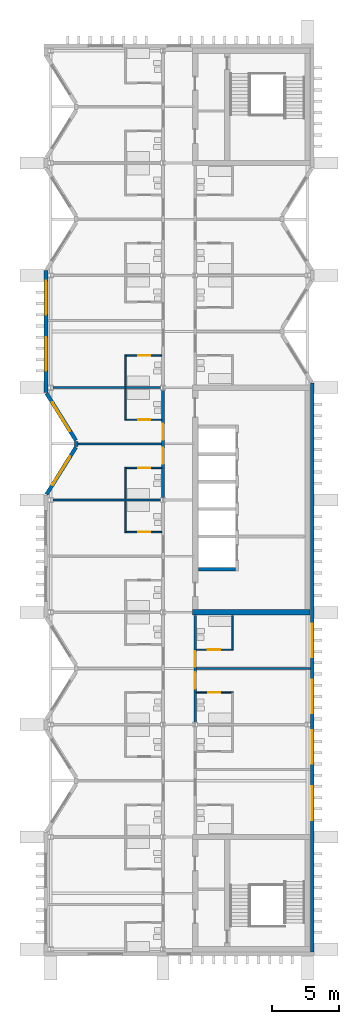
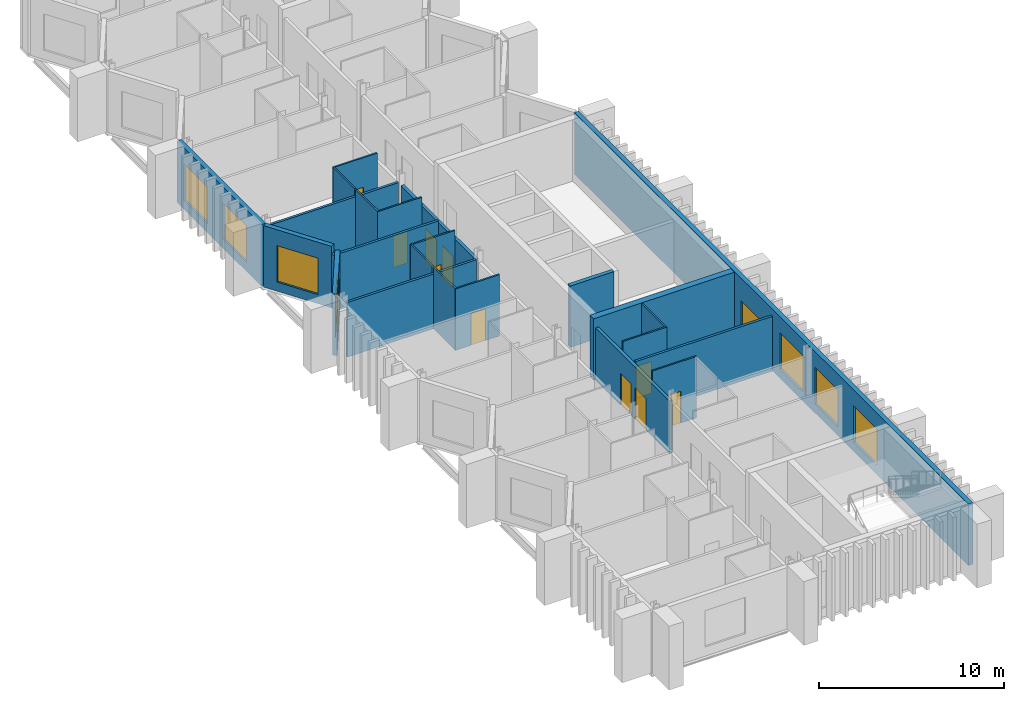
# One storey, part 6 of 11: 24 walls, 10 doors, 8 windows, 18 openings.
"""IFC4 building model written with IfcOpenShell, lengths in metres."""

from ifc_helpers import new_model, si_unit, direction, frame, frame_2d, origin, place, context, subcontext, project, spatial, rectangle, extrude, material, layer, layer_set, type_object, element, fill, save


model = new_model("IFC4")

# Units and contexts
model_context = context("Model", 3, precision=1e-05, world=origin(), true_north=direction((0.0, 1.0)))
body_context = subcontext(model_context, "Body", "Model", "MODEL_VIEW")
ifc_project = project(units=[si_unit("LENGTHUNIT", "METRE"), si_unit("AREAUNIT", "SQUARE_METRE"), si_unit("VOLUMEUNIT", "CUBIC_METRE"), si_unit("PLANEANGLEUNIT", "RADIAN"), si_unit("MASSUNIT", "GRAM", prefix="KILO")], contexts=[model_context])

# Site, building, storey
site_placement = place(None, origin())
site = spatial("IfcSite", under=ifc_project, at=site_placement, CompositionType="ELEMENT")
building_placement = place(site_placement, origin())
building = spatial("IfcBuilding", under=site, at=building_placement, Name="Cresset Court Congress Hotel", CompositionType="ELEMENT")
storey_placement = place(building_placement, frame((0.0, 0.0, 43.800048828125)))
storey = spatial("IfcBuildingStorey", under=building, at=storey_placement, Name="L10", CompositionType="ELEMENT", Elevation=43.800048828125)

# Wall, openings, doors
ifc_material_1 = material(Name="Gypsum board partition")
ifc_layer_1 = layer(ifc_material_1, 0.199951171875)
ifc_layer_set_1 = layer_set([ifc_layer_1], Name="Corridor wall 200")
wall_type_1 = type_object("IfcWallType", Name="Corridor wall 200", PredefinedType="PARTITIONING", material=ifc_layer_set_1)
wall_1_placement = place(storey_placement, frame((165.60009765625, 33.77490234375, 0.0), z_axis=(0.0, 0.0, 1.0), x_axis=(0.0, 1.0, 0.0)))
wall_1 = element("IfcWall", 1, at=wall_1_placement, inside=storey, type_object=wall_type_1, Name="A.wl.L10.074", PredefinedType="PARTITIONING", context=body_context, shape_type="SweptSolid", body=[
    extrude(rectangle(XDim=8.050048828125, YDim=0.199951171875, at=frame_2d((4.02490234375, 0.0))), origin(), (0.0, 0.0, 1.0), 3.449951171875),
])
opening_1_placement = place(wall_1_placement, frame((2.52490234375, 0.0, 0.0)))
opening_1 = element("IfcOpeningElement", 2, at=opening_1_placement, cuts=wall_1, Name="Opening DA-10-18", PredefinedType="OPENING", context=body_context, shape_type="SweptSolid", body=[
    extrude(rectangle(XDim=1.199951171875, YDim=2.10009765625, at=frame_2d((0.60009765625, 1.050048828125))), frame((0.0, 0.10986328125, 0.0), z_axis=(0.0, -1.0, 0.0), x_axis=(1.0, 0.0, 0.0)), (0.0, 0.0, 1.0), 0.219970703125),
])
opening_2_placement = place(wall_1_placement, frame((4.324951171875, 0.0, 0.0)))
opening_2 = element("IfcOpeningElement", 3, at=opening_2_placement, cuts=wall_1, Name="Opening DA-10-20", PredefinedType="OPENING", context=body_context, shape_type="SweptSolid", body=[
    extrude(rectangle(XDim=1.199951171875, YDim=2.10009765625, at=frame_2d((0.60009765625, 1.050048828125))), frame((0.0, 0.10986328125, 0.0), z_axis=(0.0, -1.0, 0.0), x_axis=(1.0, 0.0, 0.0)), (0.0, 0.0, 1.0), 0.219970703125),
])
ifc_material_2 = material(Name="timber", Category="wood")
door_type_1 = type_object("IfcDoorType", Name="Guest-room entry door 1200x2100 FD30S", OperationType="SINGLE_SWING_LEFT", PredefinedType="DOOR", material=ifc_material_2)
door_1_placement = place(opening_1_placement, origin())
door_1 = element("IfcDoor", 4, at=door_1_placement, inside=storey, type_object=door_type_1, Name="Door DA-10-18", OperationType="SINGLE_SWING_RIGHT", OverallHeight=2.10009765625, OverallWidth=1.199951171875, PredefinedType="DOOR", context=body_context, shape_type="SweptSolid", body=[
    extrude(rectangle(XDim=1.199951171875, YDim=2.10009765625, at=frame_2d((0.60009765625, 1.050048828125))), frame((0.0, 0.02490234375, 0.0), z_axis=(0.0, -1.0, 0.0), x_axis=(1.0, 0.0, 0.0)), (0.0, 0.0, 1.0), 0.050048828125),
])
fill(opening_1, door_1)
door_2_placement = place(opening_2_placement, origin())
door_2 = element("IfcDoor", 5, at=door_2_placement, inside=storey, type_object=door_type_1, Name="Door DA-10-20", OperationType="SINGLE_SWING_LEFT", OverallHeight=2.10009765625, OverallWidth=1.199951171875, PredefinedType="DOOR", context=body_context, shape_type="SweptSolid", body=[
    extrude(rectangle(XDim=1.199951171875, YDim=2.10009765625, at=frame_2d((0.60009765625, 1.050048828125))), frame((0.0, 0.02490234375, 0.0), z_axis=(0.0, -1.0, 0.0), x_axis=(1.0, 0.0, 0.0)), (0.0, 0.0, 1.0), 0.050048828125),
])
fill(opening_2, door_2)

wall_2_placement = place(storey_placement, frame((168.0, 16.97509765625, 0.0), z_axis=(0.0, 0.0, 1.0), x_axis=(0.0, 1.0, 0.0)))
wall_2 = element("IfcWall", 6, at=wall_2_placement, inside=storey, type_object=wall_type_1, Name="A.wl.L10.079", PredefinedType="PARTITIONING", context=body_context, shape_type="SweptSolid", body=[
    extrude(rectangle(XDim=7.974853515625, YDim=0.199951171875, at=frame_2d((3.9873046875, 0.0))), origin(), (0.0, 0.0, 1.0), 3.449951171875),
])
opening_3_placement = place(wall_2_placement, frame((2.52490234375, 0.0, 0.0)))
opening_3 = element("IfcOpeningElement", 7, at=opening_3_placement, cuts=wall_2, Name="Opening DA-10-38", PredefinedType="OPENING", context=body_context, shape_type="SweptSolid", body=[
    extrude(rectangle(XDim=1.199951171875, YDim=2.10009765625, at=frame_2d((0.60009765625, 1.050048828125))), frame((0.0, 0.10986328125, 0.0), z_axis=(0.0, -1.0, 0.0), x_axis=(1.0, 0.0, 0.0)), (0.0, 0.0, 1.0), 0.219970703125),
])
opening_4_placement = place(wall_2_placement, frame((4.14990234375, 0.0, 0.0)))
opening_4 = element("IfcOpeningElement", 8, at=opening_4_placement, cuts=wall_2, Name="Opening DA-10-40", PredefinedType="OPENING", context=body_context, shape_type="SweptSolid", body=[
    extrude(rectangle(XDim=1.14990234375, YDim=2.10009765625, at=frame_2d((0.574951171875, 1.050048828125))), frame((0.0, 0.10986328125, 0.0), z_axis=(0.0, -1.0, 0.0), x_axis=(1.0, 0.0, 0.0)), (0.0, 0.0, 1.0), 0.219970703125),
])
ifc_material_3 = material(Name="timber", Category="wood")
door_type_2 = type_object("IfcDoorType", Name="Accessible guest-room entry door 1150x2100 FD30S", OperationType="SINGLE_SWING_LEFT", PredefinedType="DOOR", material=ifc_material_3)
door_3_placement = place(opening_4_placement, origin())
door_3 = element("IfcDoor", 9, at=door_3_placement, inside=storey, type_object=door_type_2, Name="Door DA-10-40", OperationType="SINGLE_SWING_LEFT", OverallHeight=2.10009765625, OverallWidth=1.14990234375, PredefinedType="DOOR", context=body_context, shape_type="SweptSolid", body=[
    extrude(rectangle(XDim=1.14990234375, YDim=2.10009765625, at=frame_2d((0.574951171875, 1.050048828125))), frame((0.0, 0.02490234375, 0.0), z_axis=(0.0, -1.0, 0.0), x_axis=(1.0, 0.0, 0.0)), (0.0, 0.0, 1.0), 0.050048828125),
])
fill(opening_4, door_3)
door_4_placement = place(opening_3_placement, origin())
door_4 = element("IfcDoor", 10, at=door_4_placement, inside=storey, type_object=door_type_1, Name="Door DA-10-38", OperationType="SINGLE_SWING_RIGHT", OverallHeight=2.10009765625, OverallWidth=1.199951171875, PredefinedType="DOOR", context=body_context, shape_type="SweptSolid", body=[
    extrude(rectangle(XDim=1.199951171875, YDim=2.10009765625, at=frame_2d((0.60009765625, 1.050048828125))), frame((0.0, 0.02490234375, 0.0), z_axis=(0.0, -1.0, 0.0), x_axis=(1.0, 0.0, 0.0)), (0.0, 0.0, 1.0), 0.050048828125),
])
fill(opening_3, door_4)

# Wall
ifc_material_4 = material(Name="Gypsum board partition")
ifc_layer_2 = layer(ifc_material_4, 0.10009765625)
ifc_layer_set_2 = layer_set([ifc_layer_2], Name="En-suite wall 100")
wall_type_2 = type_object("IfcWallType", Name="En-suite wall 100", PredefinedType="PARTITIONING", material=ifc_layer_set_2)
wall_3_placement = place(storey_placement, frame((162.800048828125, 31.199951171875, 0.0), z_axis=(0.0, 0.0, 1.0), x_axis=(0.0, 1.0, 0.0)))
element("IfcWall", 11, at=wall_3_placement, inside=storey, type_object=wall_type_2, Name="A.wl.L10.015", PredefinedType="PARTITIONING", context=body_context, shape_type="SweptSolid", body=[
    extrude(rectangle(XDim=2.324951171875, YDim=0.10009765625, at=frame_2d((1.16259765625, 0.0))), origin(), (0.0, 0.0, 1.0), 4.050048828125),
])

# Wall, opening, door
wall_4_placement = place(storey_placement, frame((162.75, 31.199951171875, 0.0), z_axis=(0.0, 0.0, 1.0), x_axis=(1.0, 0.0, 0.0)))
wall_4 = element("IfcWall", 12, at=wall_4_placement, inside=storey, type_object=wall_type_2, Name="A.wl.L10.016", PredefinedType="PARTITIONING", context=body_context, shape_type="SweptSolid", body=[
    extrude(rectangle(XDim=2.75, YDim=0.10009765625, at=frame_2d((1.375, 0.0))), origin(), (0.0, 0.0, 1.0), 4.050048828125),
])
opening_5_placement = place(wall_4_placement, frame((0.97998046875, 0.0, 0.0)))
opening_5 = element("IfcOpeningElement", 13, at=opening_5_placement, cuts=wall_4, Name="Opening DA-10-15", PredefinedType="OPENING", context=body_context, shape_type="SweptSolid", body=[
    extrude(rectangle(XDim=0.89990234375, YDim=2.10009765625, at=frame_2d((0.449951171875, 1.050048828125))), frame((0.0, 0.06005859375, 0.0), z_axis=(0.0, -1.0, 0.0), x_axis=(1.0, 0.0, 0.0)), (0.0, 0.0, 1.0), 0.1201171875),
])
ifc_material_5 = material(Name="timber", Category="wood")
door_type_3 = type_object("IfcDoorType", Name="En-suite door 900x2100", OperationType="SINGLE_SWING_LEFT", PredefinedType="DOOR", material=ifc_material_5)
door_5_placement = place(opening_5_placement, origin())
door_5 = element("IfcDoor", 14, at=door_5_placement, inside=storey, type_object=door_type_3, Name="Door DA-10-15", OperationType="SINGLE_SWING_LEFT", OverallHeight=2.10009765625, OverallWidth=0.89990234375, PredefinedType="DOOR", context=body_context, shape_type="SweptSolid", body=[
    extrude(rectangle(XDim=0.89990234375, YDim=2.10009765625, at=frame_2d((0.449951171875, 1.050048828125))), frame((0.0, 0.02490234375, 0.0), z_axis=(0.0, -1.0, 0.0), x_axis=(1.0, 0.0, 0.0)), (0.0, 0.0, 1.0), 0.050048828125),
])
fill(opening_5, door_5)

# Wall
wall_5_placement = place(storey_placement, frame((162.800048828125, 33.675048828125, 0.0), z_axis=(0.0, 0.0, 1.0), x_axis=(0.0, 1.0, 0.0)))
element("IfcWall", 15, at=wall_5_placement, inside=storey, type_object=wall_type_2, Name="A.wl.L10.017", PredefinedType="PARTITIONING", context=body_context, shape_type="SweptSolid", body=[
    extrude(rectangle(XDim=2.324951171875, YDim=0.10009765625, at=frame_2d((1.16259765625, 0.0))), origin(), (0.0, 0.0, 1.0), 4.050048828125),
])

# Wall, opening, door
wall_6_placement = place(storey_placement, frame((162.75, 36.0, 0.0), z_axis=(0.0, 0.0, 1.0), x_axis=(1.0, 0.0, 0.0)))
wall_6 = element("IfcWall", 16, at=wall_6_placement, inside=storey, type_object=wall_type_2, Name="A.wl.L10.018", PredefinedType="PARTITIONING", context=body_context, shape_type="SweptSolid", body=[
    extrude(rectangle(XDim=2.75, YDim=0.10009765625, at=frame_2d((1.375, 0.0))), origin(), (0.0, 0.0, 1.0), 4.050048828125),
])
opening_6_placement = place(wall_6_placement, frame((0.97998046875, 0.0, 0.0)))
opening_6 = element("IfcOpeningElement", 17, at=opening_6_placement, cuts=wall_6, Name="Opening DA-10-17", PredefinedType="OPENING", context=body_context, shape_type="SweptSolid", body=[
    extrude(rectangle(XDim=0.89990234375, YDim=2.10009765625, at=frame_2d((0.449951171875, 1.050048828125))), frame((0.0, 0.06005859375, 0.0), z_axis=(0.0, -1.0, 0.0), x_axis=(1.0, 0.0, 0.0)), (0.0, 0.0, 1.0), 0.1201171875),
])
door_6_placement = place(opening_6_placement, origin())
door_6 = element("IfcDoor", 18, at=door_6_placement, inside=storey, type_object=door_type_3, Name="Door DA-10-17", OperationType="SINGLE_SWING_RIGHT", OverallHeight=2.10009765625, OverallWidth=0.89990234375, PredefinedType="DOOR", context=body_context, shape_type="SweptSolid", body=[
    extrude(rectangle(XDim=0.89990234375, YDim=2.10009765625, at=frame_2d((0.449951171875, 1.050048828125))), frame((0.0, 0.02490234375, 0.0), z_axis=(0.0, -1.0, 0.0), x_axis=(1.0, 0.0, 0.0)), (0.0, 0.0, 1.0), 0.050048828125),
])
fill(opening_6, door_6)

# Wall
wall_7_placement = place(storey_placement, frame((162.800048828125, 39.60009765625, 0.0), z_axis=(0.0, 0.0, 1.0), x_axis=(0.0, 1.0, 0.0)))
element("IfcWall", 19, at=wall_7_placement, inside=storey, type_object=wall_type_2, Name="A.wl.L10.019", PredefinedType="PARTITIONING", context=body_context, shape_type="SweptSolid", body=[
    extrude(rectangle(XDim=2.324951171875, YDim=0.10009765625, at=frame_2d((1.16259765625, 0.0))), origin(), (0.0, 0.0, 1.0), 4.050048828125),
])

# Wall, opening, door
wall_8_placement = place(storey_placement, frame((162.75, 39.60009765625, 0.0), z_axis=(0.0, 0.0, 1.0), x_axis=(1.0, 0.0, 0.0)))
wall_8 = element("IfcWall", 20, at=wall_8_placement, inside=storey, type_object=wall_type_2, Name="A.wl.L10.020", PredefinedType="PARTITIONING", context=body_context, shape_type="SweptSolid", body=[
    extrude(rectangle(XDim=2.75, YDim=0.10009765625, at=frame_2d((1.375, 0.0))), origin(), (0.0, 0.0, 1.0), 4.050048828125),
])
opening_7_placement = place(wall_8_placement, frame((0.97998046875, 0.0, 0.0)))
opening_7 = element("IfcOpeningElement", 21, at=opening_7_placement, cuts=wall_8, Name="Opening DA-10-19", PredefinedType="OPENING", context=body_context, shape_type="SweptSolid", body=[
    extrude(rectangle(XDim=0.89990234375, YDim=2.10009765625, at=frame_2d((0.449951171875, 1.050048828125))), frame((0.0, 0.06005859375, 0.0), z_axis=(0.0, -1.0, 0.0), x_axis=(1.0, 0.0, 0.0)), (0.0, 0.0, 1.0), 0.1201171875),
])
door_7_placement = place(opening_7_placement, origin())
door_7 = element("IfcDoor", 22, at=door_7_placement, inside=storey, type_object=door_type_3, Name="Door DA-10-19", OperationType="SINGLE_SWING_LEFT", OverallHeight=2.10009765625, OverallWidth=0.89990234375, PredefinedType="DOOR", context=body_context, shape_type="SweptSolid", body=[
    extrude(rectangle(XDim=0.89990234375, YDim=2.10009765625, at=frame_2d((0.449951171875, 1.050048828125))), frame((0.0, 0.02490234375, 0.0), z_axis=(0.0, -1.0, 0.0), x_axis=(1.0, 0.0, 0.0)), (0.0, 0.0, 1.0), 0.050048828125),
])
fill(opening_7, door_7)

# Wall
wall_9_placement = place(storey_placement, frame((162.800048828125, 42.074951171875, 0.0), z_axis=(0.0, 0.0, 1.0), x_axis=(0.0, 1.0, 0.0)))
element("IfcWall", 23, at=wall_9_placement, inside=storey, type_object=wall_type_2, Name="A.wl.L10.021", PredefinedType="PARTITIONING", context=body_context, shape_type="SweptSolid", body=[
    extrude(rectangle(XDim=2.324951171875, YDim=0.10009765625, at=frame_2d((1.16259765625, 0.0))), origin(), (0.0, 0.0, 1.0), 4.050048828125),
])

# Wall, opening, door
wall_10_placement = place(storey_placement, frame((162.75, 44.39990234375, 0.0), z_axis=(0.0, 0.0, 1.0), x_axis=(1.0, 0.0, 0.0)))
wall_10 = element("IfcWall", 24, at=wall_10_placement, inside=storey, type_object=wall_type_2, Name="A.wl.L10.022", PredefinedType="PARTITIONING", context=body_context, shape_type="SweptSolid", body=[
    extrude(rectangle(XDim=2.75, YDim=0.10009765625, at=frame_2d((1.375, 0.0))), origin(), (0.0, 0.0, 1.0), 4.050048828125),
])
opening_8_placement = place(wall_10_placement, frame((0.97998046875, 0.0, 0.0)))
opening_8 = element("IfcOpeningElement", 25, at=opening_8_placement, cuts=wall_10, Name="Opening DA-10-21", PredefinedType="OPENING", context=body_context, shape_type="SweptSolid", body=[
    extrude(rectangle(XDim=0.89990234375, YDim=2.10009765625, at=frame_2d((0.449951171875, 1.050048828125))), frame((0.0, 0.06005859375, 0.0), z_axis=(0.0, -1.0, 0.0), x_axis=(1.0, 0.0, 0.0)), (0.0, 0.0, 1.0), 0.1201171875),
])
door_8_placement = place(opening_8_placement, origin())
door_8 = element("IfcDoor", 26, at=door_8_placement, inside=storey, type_object=door_type_3, Name="Door DA-10-21", OperationType="SINGLE_SWING_RIGHT", OverallHeight=2.10009765625, OverallWidth=0.89990234375, PredefinedType="DOOR", context=body_context, shape_type="SweptSolid", body=[
    extrude(rectangle(XDim=0.89990234375, YDim=2.10009765625, at=frame_2d((0.449951171875, 1.050048828125))), frame((0.0, 0.02490234375, 0.0), z_axis=(0.0, -1.0, 0.0), x_axis=(1.0, 0.0, 0.0)), (0.0, 0.0, 1.0), 0.050048828125),
])
fill(opening_8, door_8)

wall_11_placement = place(storey_placement, frame((170.85009765625, 19.199951171875, 0.0), z_axis=(0.0, 0.0, 1.0), x_axis=(-1.0, 0.0, 0.0)))
wall_11 = element("IfcWall", 27, at=wall_11_placement, inside=storey, type_object=wall_type_2, Name="A.wl.L10.038", PredefinedType="PARTITIONING", context=body_context, shape_type="SweptSolid", body=[
    extrude(rectangle(XDim=2.75, YDim=0.10009765625, at=frame_2d((1.375, 0.0))), origin(), (0.0, 0.0, 1.0), 4.050048828125),
])
opening_9_placement = place(wall_11_placement, frame((0.97998046875, 0.0, 0.0)))
opening_9 = element("IfcOpeningElement", 28, at=opening_9_placement, cuts=wall_11, Name="Opening DA-10-37", PredefinedType="OPENING", context=body_context, shape_type="SweptSolid", body=[
    extrude(rectangle(XDim=0.89990234375, YDim=2.10009765625, at=frame_2d((0.449951171875, 1.050048828125))), frame((0.0, 0.06005859375, 0.0), z_axis=(0.0, -1.0, 0.0), x_axis=(1.0, 0.0, 0.0)), (0.0, 0.0, 1.0), 0.1201171875),
])
door_9_placement = place(opening_9_placement, origin())
door_9 = element("IfcDoor", 29, at=door_9_placement, inside=storey, type_object=door_type_3, Name="Door DA-10-37", OperationType="SINGLE_SWING_RIGHT", OverallHeight=2.10009765625, OverallWidth=0.89990234375, PredefinedType="DOOR", context=body_context, shape_type="SweptSolid", body=[
    extrude(rectangle(XDim=0.89990234375, YDim=2.10009765625, at=frame_2d((0.449951171875, 1.050048828125))), frame((0.0, 0.02490234375, 0.0), z_axis=(0.0, -1.0, 0.0), x_axis=(1.0, 0.0, 0.0)), (0.0, 0.0, 1.0), 0.050048828125),
])
fill(opening_9, door_9)

# Wall
wall_12_placement = place(storey_placement, frame((170.800048828125, 22.39990234375, 0.0), z_axis=(0.0, 0.0, 1.0), x_axis=(0.0, 1.0, 0.0)))
element("IfcWall", 30, at=wall_12_placement, inside=storey, type_object=wall_type_2, Name="A.wl.L10.039", PredefinedType="PARTITIONING", context=body_context, shape_type="SweptSolid", body=[
    extrude(rectangle(XDim=2.550048828125, YDim=0.10009765625, at=frame_2d((1.27490234375, 0.0))), origin(), (0.0, 0.0, 1.0), 4.050048828125),
])

# Wall, opening, door
wall_13_placement = place(storey_placement, frame((170.85009765625, 22.39990234375, 0.0), z_axis=(0.0, 0.0, 1.0), x_axis=(-1.0, 0.0, 0.0)))
wall_13 = element("IfcWall", 31, at=wall_13_placement, inside=storey, type_object=wall_type_2, Name="A.wl.L10.040", PredefinedType="PARTITIONING", context=body_context, shape_type="SweptSolid", body=[
    extrude(rectangle(XDim=2.75, YDim=0.10009765625, at=frame_2d((1.375, 0.0))), origin(), (0.0, 0.0, 1.0), 4.050048828125),
])
opening_10_placement = place(wall_13_placement, frame((0.955078125, 0.0, 0.0)))
opening_10 = element("IfcOpeningElement", 32, at=opening_10_placement, cuts=wall_13, Name="Opening DA-10-39", PredefinedType="OPENING", context=body_context, shape_type="SweptSolid", body=[
    extrude(rectangle(XDim=0.949951171875, YDim=2.10009765625, at=frame_2d((0.47509765625, 1.050048828125))), frame((0.0, 0.06005859375, 0.0), z_axis=(0.0, -1.0, 0.0), x_axis=(1.0, 0.0, 0.0)), (0.0, 0.0, 1.0), 0.1201171875),
])
ifc_material_6 = material(Name="timber", Category="wood")
door_type_4 = type_object("IfcDoorType", Name="Accessible en-suite door 950x2100", OperationType="SINGLE_SWING_LEFT", PredefinedType="DOOR", material=ifc_material_6)
door_10_placement = place(opening_10_placement, origin())
door_10 = element("IfcDoor", 33, at=door_10_placement, inside=storey, type_object=door_type_4, Name="Door DA-10-39", OperationType="SINGLE_SWING_LEFT", OverallHeight=2.10009765625, OverallWidth=0.949951171875, PredefinedType="DOOR", context=body_context, shape_type="SweptSolid", body=[
    extrude(rectangle(XDim=0.949951171875, YDim=2.10009765625, at=frame_2d((0.47509765625, 1.050048828125))), frame((0.0, 0.02490234375, 0.0), z_axis=(0.0, -1.0, 0.0), x_axis=(1.0, 0.0, 0.0)), (0.0, 0.0, 1.0), 0.050048828125),
])
fill(opening_10, door_10)

# Wall, opening, window
ifc_material_7 = material(Name="Precast concrete C50", Category="concrete")
ifc_layer_3 = layer(ifc_material_7, 0.280029296875)
ifc_layer_set_3 = layer_set([ifc_layer_3], Name="External wall 280")
wall_type_3 = type_object("IfcWallType", Name="External wall 280", PredefinedType="SOLIDWALL", material=ifc_layer_set_3)
wall_14_placement = place(storey_placement, frame((156.88623046875, 34.024169921875, 0.0), z_axis=(0.0, 0.0, 1.0), x_axis=(0.529018946142, 0.848610013271, 0.0)))
wall_14 = element("IfcWall", 34, at=wall_14_placement, inside=storey, type_object=wall_type_3, Name="A.ew.L10.Wn.4.0", PredefinedType="SOLIDWALL", context=body_context, shape_type="SweptSolid", body=[
    extrude(rectangle(XDim=4.144287109375, YDim=0.280029296875, at=frame_2d((2.072265625, 0.0))), origin(), (0.0, 0.0, 1.0), 4.050048828125),
])
opening_11_placement = place(wall_14_placement, frame((0.812255859375, 0.0, 0.60009765625)))
opening_11 = element("IfcOpeningElement", 35, at=opening_11_placement, cuts=wall_14, Name="Opening NA-10-09", PredefinedType="OPENING", context=body_context, shape_type="SweptSolid", body=[
    extrude(rectangle(XDim=2.52001953125, YDim=2.39990234375, at=frame_2d((1.260009765625, 1.199951171875))), frame((0.0, 0.14990234375, 0.0), z_axis=(0.0, -1.0, 0.0), x_axis=(1.0, 0.0, 0.0)), (0.0, 0.0, 1.0), 0.300048828125),
])
ifc_material_8 = material(Name="Aluminium and glass", Category="aluminium")
window_type_1 = type_object("IfcWindowType", Name="Window 2520x2400", PartitioningType="SINGLE_PANEL", PredefinedType="WINDOW", material=ifc_material_8)
window_1_placement = place(opening_11_placement, origin())
window_1 = element("IfcWindow", 36, at=window_1_placement, inside=storey, type_object=window_type_1, Name="Window NA-10-09", OverallHeight=2.39990234375, OverallWidth=2.52001953125, PartitioningType="SINGLE_PANEL", PredefinedType="WINDOW", context=body_context, shape_type="SweptSolid", body=[
    extrude(rectangle(XDim=2.52001953125, YDim=2.39990234375, at=frame_2d((1.260009765625, 1.199951171875))), frame((0.0, 0.030029296875, 0.0), z_axis=(0.0, -1.0, 0.0), x_axis=(1.0, 0.0, 0.0)), (0.0, 0.0, 1.0), 0.06005859375),
])
fill(opening_11, window_1)

wall_15_placement = place(storey_placement, frame((159.07861328125, 38.05908203125, 0.0), z_axis=(0.0, 0.0, 1.0), x_axis=(-0.529018946142, 0.848610013271, 0.0)))
wall_15 = element("IfcWall", 37, at=wall_15_placement, inside=storey, type_object=wall_type_3, Name="A.ew.L10.Wn.4.1", PredefinedType="SOLIDWALL", context=body_context, shape_type="SweptSolid", body=[
    extrude(rectangle(XDim=4.144287109375, YDim=0.280029296875, at=frame_2d((2.072265625, 0.0))), origin(), (0.0, 0.0, 1.0), 4.050048828125),
])
opening_12_placement = place(wall_15_placement, frame((0.812255859375, 0.0, 0.60009765625)))
opening_12 = element("IfcOpeningElement", 38, at=opening_12_placement, cuts=wall_15, Name="Opening NA-10-10", PredefinedType="OPENING", context=body_context, shape_type="SweptSolid", body=[
    extrude(rectangle(XDim=2.52001953125, YDim=2.39990234375, at=frame_2d((1.260009765625, 1.199951171875))), frame((0.0, 0.14990234375, 0.0), z_axis=(0.0, -1.0, 0.0), x_axis=(1.0, 0.0, 0.0)), (0.0, 0.0, 1.0), 0.300048828125),
])
window_2_placement = place(opening_12_placement, origin())
window_2 = element("IfcWindow", 39, at=window_2_placement, inside=storey, type_object=window_type_1, Name="Window NA-10-10", OverallHeight=2.39990234375, OverallWidth=2.52001953125, PartitioningType="SINGLE_PANEL", PredefinedType="WINDOW", context=body_context, shape_type="SweptSolid", body=[
    extrude(rectangle(XDim=2.52001953125, YDim=2.39990234375, at=frame_2d((1.260009765625, 1.199951171875))), frame((0.0, 0.030029296875, 0.0), z_axis=(0.0, -1.0, 0.0), x_axis=(1.0, 0.0, 0.0)), (0.0, 0.0, 1.0), 0.06005859375),
])
fill(opening_12, window_2)

# Wall
wall_16_placement = place(storey_placement, frame((159.099609375, 37.614990234375, 0.0), z_axis=(0.0, 0.0, 1.0), x_axis=(0.0, 1.0, 0.0)))
element("IfcWall", 40, at=wall_16_placement, inside=storey, type_object=wall_type_3, Name="A.ew.L10.Wn.4.2", PredefinedType="SOLIDWALL", context=body_context, shape_type="SweptSolid", body=[
    extrude(rectangle(XDim=0.369873046875, YDim=0.280029296875, at=frame_2d((0.18505859375, 0.0))), origin(), (0.0, 0.0, 1.0), 3.60400390625),
])

# Wall, openings, windows
wall_17_placement = place(storey_placement, frame((156.840087890625, 41.64990234375, 0.0), z_axis=(0.0, 0.0, 1.0), x_axis=(0.0, 1.0, 0.0)))
wall_17 = element("IfcWall", 41, at=wall_17_placement, inside=storey, type_object=wall_type_3, Name="A.ew.L10.W.4", PredefinedType="SOLIDWALL", context=body_context, shape_type="SweptSolid", body=[
    extrude(rectangle(XDim=9.10009765625, YDim=0.280029296875, at=frame_2d((4.550048828125, 0.0))), origin(), (0.0, 0.0, 1.0), 4.050048828125),
])
opening_13_placement = place(wall_17_placement, frame((1.610107421875, 0.0, 0.60009765625)))
opening_13 = element("IfcOpeningElement", 42, at=opening_13_placement, cuts=wall_17, Name="Opening NA-10-11", PredefinedType="OPENING", context=body_context, shape_type="SweptSolid", body=[
    extrude(rectangle(XDim=2.52001953125, YDim=2.39990234375, at=frame_2d((1.260009765625, 1.199951171875))), frame((0.0, 0.14990234375, 0.0), z_axis=(0.0, -1.0, 0.0), x_axis=(1.0, 0.0, 0.0)), (0.0, 0.0, 1.0), 0.300048828125),
])
opening_14_placement = place(wall_17_placement, frame((5.81005859375, 0.0, 0.60009765625)))
opening_14 = element("IfcOpeningElement", 43, at=opening_14_placement, cuts=wall_17, Name="Opening NA-10-12", PredefinedType="OPENING", context=body_context, shape_type="SweptSolid", body=[
    extrude(rectangle(XDim=2.52001953125, YDim=2.39990234375, at=frame_2d((1.260009765625, 1.199951171875))), frame((0.0, 0.14990234375, 0.0), z_axis=(0.0, -1.0, 0.0), x_axis=(1.0, 0.0, 0.0)), (0.0, 0.0, 1.0), 0.300048828125),
])
window_3_placement = place(opening_13_placement, origin())
window_3 = element("IfcWindow", 44, at=window_3_placement, inside=storey, type_object=window_type_1, Name="Window NA-10-11", OverallHeight=2.39990234375, OverallWidth=2.52001953125, PartitioningType="SINGLE_PANEL", PredefinedType="WINDOW", context=body_context, shape_type="SweptSolid", body=[
    extrude(rectangle(XDim=2.52001953125, YDim=2.39990234375, at=frame_2d((1.260009765625, 1.199951171875))), frame((0.0, 0.030029296875, 0.0), z_axis=(0.0, -1.0, 0.0), x_axis=(1.0, 0.0, 0.0)), (0.0, 0.0, 1.0), 0.06005859375),
])
fill(opening_13, window_3)
window_4_placement = place(opening_14_placement, origin())
window_4 = element("IfcWindow", 45, at=window_4_placement, inside=storey, type_object=window_type_1, Name="Window NA-10-12", OverallHeight=2.39990234375, OverallWidth=2.52001953125, PartitioningType="SINGLE_PANEL", PredefinedType="WINDOW", context=body_context, shape_type="SweptSolid", body=[
    extrude(rectangle(XDim=2.52001953125, YDim=2.39990234375, at=frame_2d((1.260009765625, 1.199951171875))), frame((0.0, 0.030029296875, 0.0), z_axis=(0.0, -1.0, 0.0), x_axis=(1.0, 0.0, 0.0)), (0.0, 0.0, 1.0), 0.06005859375),
])
fill(opening_14, window_4)

wall_18_placement = place(storey_placement, frame((176.760009765625, -0.219970703125, 0.0), z_axis=(0.0, 0.0, 1.0), x_axis=(0.0, 1.0, 0.0)))
wall_18 = element("IfcWall", 46, at=wall_18_placement, inside=storey, type_object=wall_type_3, Name="A.ew.L10.E.1", PredefinedType="SOLIDWALL", context=body_context, shape_type="SweptSolid", body=[
    extrude(rectangle(XDim=42.570068359375, YDim=0.280029296875, at=frame_2d((21.28515625, 0.0))), origin(), (0.0, 0.0, 1.0), 4.050048828125),
])
opening_15_placement = place(wall_18_placement, frame((9.8798828125, 0.0, 0.60009765625)))
opening_15 = element("IfcOpeningElement", 47, at=opening_15_placement, cuts=wall_18, Name="Opening NA-10-17", PredefinedType="OPENING", context=body_context, shape_type="SweptSolid", body=[
    extrude(rectangle(XDim=2.52001953125, YDim=2.39990234375, at=frame_2d((1.260009765625, 1.199951171875))), frame((0.0, 0.14990234375, 0.0), z_axis=(0.0, -1.0, 0.0), x_axis=(1.0, 0.0, 0.0)), (0.0, 0.0, 1.0), 0.300048828125),
])
opening_16_placement = place(wall_18_placement, frame((14.080078125, 0.0, 0.60009765625)))
opening_16 = element("IfcOpeningElement", 48, at=opening_16_placement, cuts=wall_18, Name="Opening NA-10-18", PredefinedType="OPENING", context=body_context, shape_type="SweptSolid", body=[
    extrude(rectangle(XDim=2.52001953125, YDim=2.39990234375, at=frame_2d((1.260009765625, 1.199951171875))), frame((0.0, 0.14990234375, 0.0), z_axis=(0.0, -1.0, 0.0), x_axis=(1.0, 0.0, 0.0)), (0.0, 0.0, 1.0), 0.300048828125),
])
opening_17_placement = place(wall_18_placement, frame((17.860107421875, 0.0, 0.60009765625)))
opening_17 = element("IfcOpeningElement", 49, at=opening_17_placement, cuts=wall_18, Name="Opening NA-10-19", PredefinedType="OPENING", context=body_context, shape_type="SweptSolid", body=[
    extrude(rectangle(XDim=2.52001953125, YDim=2.39990234375, at=frame_2d((1.260009765625, 1.199951171875))), frame((0.0, 0.14990234375, 0.0), z_axis=(0.0, -1.0, 0.0), x_axis=(1.0, 0.0, 0.0)), (0.0, 0.0, 1.0), 0.300048828125),
])
opening_18_placement = place(wall_18_placement, frame((22.06005859375, 0.0, 0.449951171875)))
opening_18 = element("IfcOpeningElement", 50, at=opening_18_placement, cuts=wall_18, Name="Opening NA-10-20", PredefinedType="OPENING", context=body_context, shape_type="SweptSolid", body=[
    extrude(rectangle(XDim=2.52001953125, YDim=2.10009765625, at=frame_2d((1.260009765625, 1.050048828125))), frame((0.0, 0.14990234375, 0.0), z_axis=(0.0, -1.0, 0.0), x_axis=(1.0, 0.0, 0.0)), (0.0, 0.0, 1.0), 0.300048828125),
])
ifc_material_9 = material(Name="Aluminium and glass", Category="aluminium")
window_type_2 = type_object("IfcWindowType", Name="Window 2520x2100", PartitioningType="SINGLE_PANEL", PredefinedType="WINDOW", material=ifc_material_9)
window_5_placement = place(opening_18_placement, origin())
window_5 = element("IfcWindow", 51, at=window_5_placement, inside=storey, type_object=window_type_2, Name="Window NA-10-20", OverallHeight=2.10009765625, OverallWidth=2.52001953125, PartitioningType="SINGLE_PANEL", PredefinedType="WINDOW", context=body_context, shape_type="SweptSolid", body=[
    extrude(rectangle(XDim=2.52001953125, YDim=2.10009765625, at=frame_2d((1.260009765625, 1.050048828125))), frame((0.0, 0.030029296875, 0.0), z_axis=(0.0, -1.0, 0.0), x_axis=(1.0, 0.0, 0.0)), (0.0, 0.0, 1.0), 0.06005859375),
])
fill(opening_18, window_5)
window_6_placement = place(opening_15_placement, origin())
window_6 = element("IfcWindow", 52, at=window_6_placement, inside=storey, type_object=window_type_1, Name="Window NA-10-17", OverallHeight=2.39990234375, OverallWidth=2.52001953125, PartitioningType="SINGLE_PANEL", PredefinedType="WINDOW", context=body_context, shape_type="SweptSolid", body=[
    extrude(rectangle(XDim=2.52001953125, YDim=2.39990234375, at=frame_2d((1.260009765625, 1.199951171875))), frame((0.0, 0.030029296875, 0.0), z_axis=(0.0, -1.0, 0.0), x_axis=(1.0, 0.0, 0.0)), (0.0, 0.0, 1.0), 0.06005859375),
])
fill(opening_15, window_6)
window_7_placement = place(opening_16_placement, origin())
window_7 = element("IfcWindow", 53, at=window_7_placement, inside=storey, type_object=window_type_1, Name="Window NA-10-18", OverallHeight=2.39990234375, OverallWidth=2.52001953125, PartitioningType="SINGLE_PANEL", PredefinedType="WINDOW", context=body_context, shape_type="SweptSolid", body=[
    extrude(rectangle(XDim=2.52001953125, YDim=2.39990234375, at=frame_2d((1.260009765625, 1.199951171875))), frame((0.0, 0.030029296875, 0.0), z_axis=(0.0, -1.0, 0.0), x_axis=(1.0, 0.0, 0.0)), (0.0, 0.0, 1.0), 0.06005859375),
])
fill(opening_16, window_7)
window_8_placement = place(opening_17_placement, origin())
window_8 = element("IfcWindow", 54, at=window_8_placement, inside=storey, type_object=window_type_1, Name="Window NA-10-19", OverallHeight=2.39990234375, OverallWidth=2.52001953125, PartitioningType="SINGLE_PANEL", PredefinedType="WINDOW", context=body_context, shape_type="SweptSolid", body=[
    extrude(rectangle(XDim=2.52001953125, YDim=2.39990234375, at=frame_2d((1.260009765625, 1.199951171875))), frame((0.0, 0.030029296875, 0.0), z_axis=(0.0, -1.0, 0.0), x_axis=(1.0, 0.0, 0.0)), (0.0, 0.0, 1.0), 0.06005859375),
])
fill(opening_17, window_8)

# Walls
ifc_material_10 = material(Name="Gypsum board partition")
ifc_layer_4 = layer(ifc_material_10, 0.14990234375)
ifc_layer_set_4 = layer_set([ifc_layer_4], Name="Guest-room partition 150")
wall_type_4 = type_object("IfcWallType", Name="Guest-room partition 150", PredefinedType="PARTITIONING", material=ifc_layer_set_4)
for number, where, z_axis, x_axis, name in (
    (55, (157.375, 33.60009765625, 0.0), (0.0, 0.0, 1.0), (1.0, 0.0, 0.0), "A.wl.L10.052"),
    (56, (157.375, 42.0, 0.0), (0.0, 0.0, 1.0), (1.0, 0.0, 0.0), "A.wl.L10.053"),
):
    element("IfcWall", number, at=place(storey_placement, frame(where, z_axis=z_axis, x_axis=x_axis)), inside=storey, type_object=wall_type_4, Name=name, PredefinedType="PARTITIONING", context=body_context, shape_type="SweptSolid", body=[
        extrude(rectangle(XDim=8.050048828125, YDim=0.14990234375, at=frame_2d((4.02490234375, 0.0))), origin(), (0.0, 0.0, 1.0), 3.60400390625),
    ])
wall_19_placement = place(storey_placement, frame((159.23974609375, 37.800048828125, 0.0), z_axis=(0.0, 0.0, 1.0), x_axis=(1.0, 0.0, 0.0)))
element("IfcWall", 57, at=wall_19_placement, inside=storey, type_object=wall_type_4, Name="A.wl.L10.062", PredefinedType="PARTITIONING", context=body_context, shape_type="SweptSolid", body=[
    extrude(rectangle(XDim=6.26025390625, YDim=0.14990234375, at=frame_2d((3.130126953125, 0.0))), origin(), (0.0, 0.0, 1.0), 3.60400390625),
])
wall_20_placement = place(storey_placement, frame((168.10009765625, 21.0, 0.0), z_axis=(0.0, 0.0, 1.0), x_axis=(1.0, 0.0, 0.0)))
element("IfcWall", 58, at=wall_20_placement, inside=storey, type_object=wall_type_4, Name="A.wl.L10.067", PredefinedType="PARTITIONING", context=body_context, shape_type="SweptSolid", body=[
    extrude(rectangle(XDim=8.52001953125, YDim=0.14990234375, at=frame_2d((4.260009765625, 0.0))), origin(), (0.0, 0.0, 1.0), 3.60400390625),
])
ifc_material_11 = material(Name="Concrete C50", Category="concrete")
ifc_layer_5 = layer(ifc_material_11, 0.39990234375)
ifc_layer_set_5 = layer_set([ifc_layer_5], Name="Lift core wall 400")
wall_type_5 = type_object("IfcWallType", Name="Lift core wall 400", PredefinedType="SOLIDWALL", material=ifc_layer_set_5)
wall_21_placement = place(storey_placement, frame((167.800048828125, 25.199951171875, 0.0), z_axis=(0.0, 0.0, 1.0), x_axis=(1.0, 0.0, 0.0)))
element("IfcWall", 59, at=wall_21_placement, inside=storey, type_object=wall_type_5, Name="A.cw.LC-A.L10.S", PredefinedType="SOLIDWALL", context=body_context, shape_type="SweptSolid", body=[
    extrude(rectangle(XDim=8.800048828125, YDim=0.39990234375, at=frame_2d((4.39990234375, 0.0))), origin(), (0.0, 0.0, 1.0), 4.050048828125),
])
ifc_material_12 = material(Name="Concrete C50", Category="concrete")
ifc_layer_6 = layer(ifc_material_12, 0.25)
ifc_layer_set_6 = layer_set([ifc_layer_6], Name="Lift shaft wall 250")
wall_type_6 = type_object("IfcWallType", Name="Lift shaft wall 250", PredefinedType="SOLIDWALL", material=ifc_layer_set_6)
wall_22_placement = place(storey_placement, frame((168.25, 28.425048828125, 0.0), z_axis=(0.0, 0.0, 1.0), x_axis=(1.0, 0.0, 0.0)))
element("IfcWall", 60, at=wall_22_placement, inside=storey, type_object=wall_type_6, Name="A.wl.L10.087", PredefinedType="SOLIDWALL", context=body_context, shape_type="SweptSolid", body=[
    extrude(rectangle(XDim=2.75, YDim=0.25, at=frame_2d((1.375, 0.0))), origin(), (0.0, 0.0, 1.0), 4.050048828125),
])

save(model, "model.ifc")
